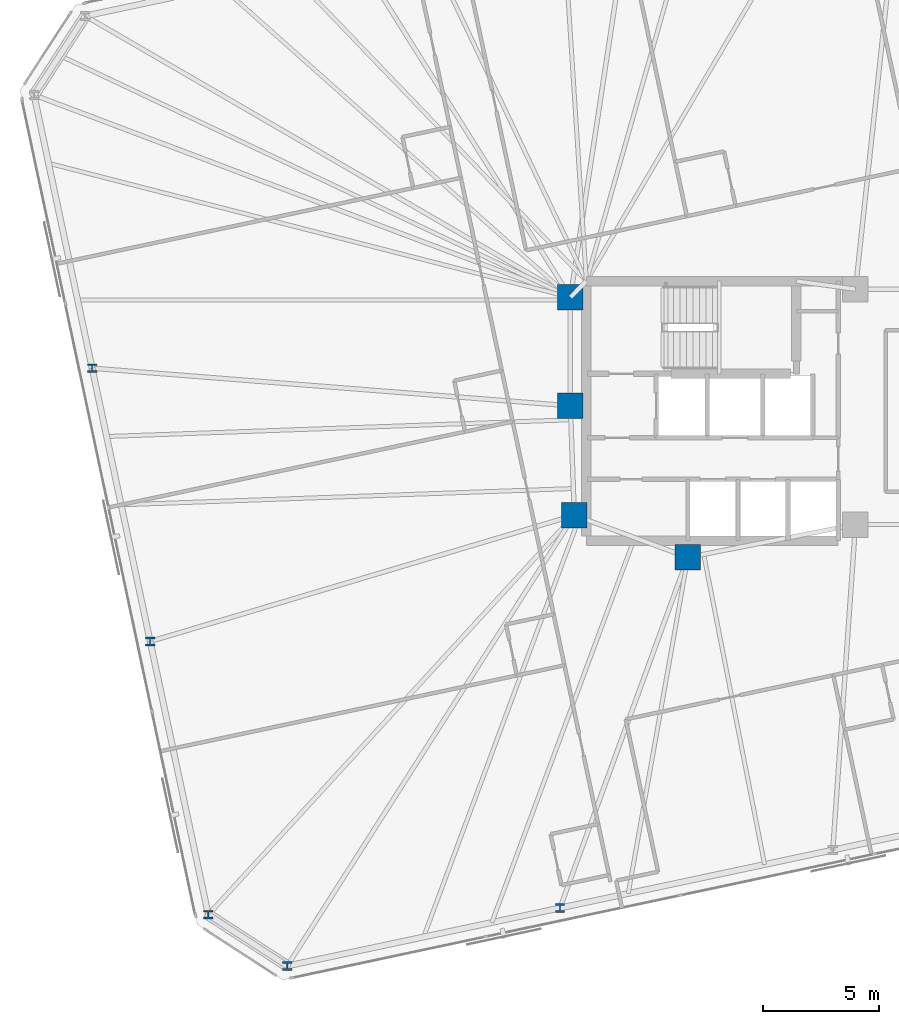
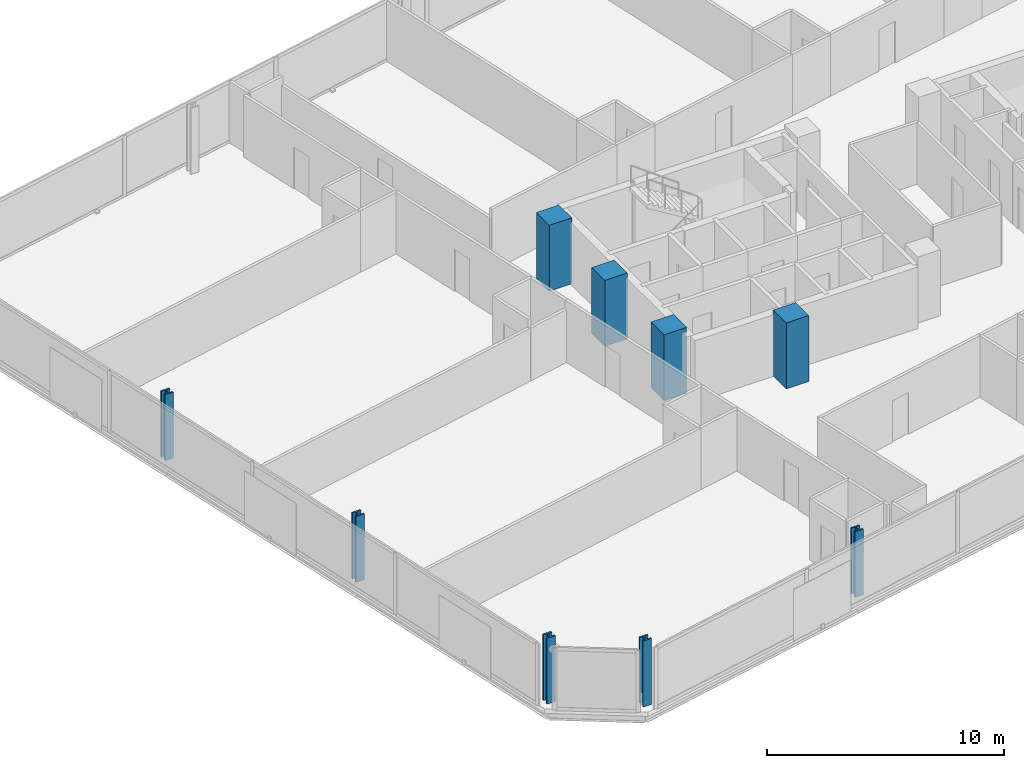
# One storey, part 1 of 19: 9 columns.
"""IFC4 building model written with IfcOpenShell, lengths in metres."""

from ifc_helpers import new_model, si_unit, direction, frame, origin, origin_2d, place, context, subcontext, project, spatial, rectangle, i_section, extrude, material, material_profile, profile_set, type_object, element, save


model = new_model("IFC4")

# Units and contexts
model_context = context("Model", 3, precision=1e-05, world=origin(), true_north=direction((0.0, 1.0)))
body_context = subcontext(model_context, "Body", "Model", "MODEL_VIEW")
ifc_project = project(units=[si_unit("LENGTHUNIT", "METRE"), si_unit("AREAUNIT", "SQUARE_METRE"), si_unit("VOLUMEUNIT", "CUBIC_METRE"), si_unit("PLANEANGLEUNIT", "RADIAN"), si_unit("MASSUNIT", "GRAM", prefix="KILO")], contexts=[model_context])

# Site, building, storey
site_placement = place(None, origin())
site = spatial("IfcSite", under=ifc_project, at=site_placement, CompositionType="ELEMENT")
building_placement = place(site_placement, origin())
building = spatial("IfcBuilding", under=site, at=building_placement, Name="Menara Jurai Vektor", CompositionType="ELEMENT")
storey_placement = place(building_placement, frame((0.0, 0.0, 154.800048828125)))
storey = spatial("IfcBuildingStorey", under=building, at=storey_placement, Name="L39", CompositionType="ELEMENT", Elevation=154.800048828125)

# Columns
ifc_material_1 = material(Name="Concrete C50/60", Category="concrete")
ifc_material_profile_1 = material_profile(ifc_material_1, rectangle(XDim=1.10009765625, YDim=1.10009765625, at=origin_2d()), Name="RC 1100x1100")
ifc_profile_set_1 = profile_set([ifc_material_profile_1], Name="Concrete C50/60")
column_type_1 = type_object("IfcColumnType", Name="STR-COL-RC1100", PredefinedType="COLUMN", material=ifc_profile_set_1)
for number, where, z_axis, x_axis, name in (
    (1, (-15.25, 4.89990234375, 0.0), (0.0, 0.0, 1.0), (1.0, 0.0, 0.0), "Core Spine Column CW-NW L39"),
    (2, (-15.25, 0.219970703125, 0.0), (0.0, 0.0, 1.0), (1.0, 0.0, 0.0), "Core Spine Column CW-WM L39"),
    (3, (-15.080078125, -4.5, 0.0), (0.0, 0.0, 1.0), (1.0, 0.0, 0.0), "Core Spine Column CW-SW L39"),
    (4, (-10.179931640625, -6.320068359375, 0.0), (0.0, 0.0, 1.0), (1.0, 0.0, 0.0), "Core Spine Column CW-SM L39"),
):
    element("IfcColumn", number, at=place(storey_placement, frame(where, z_axis=z_axis, x_axis=x_axis)), inside=storey, type_object=column_type_1, Name=name, PredefinedType="COLUMN", context=body_context, shape_type="SweptSolid", body=[
        extrude(rectangle(XDim=1.10009765625, YDim=1.10009765625, at=origin_2d()), origin(), (0.0, 0.0, 1.0), 3.39990234375),
    ])
ifc_material_2 = material(Name="Steel S460", Category="steel")
ifc_material_profile_2 = material_profile(ifc_material_2, i_section(OverallWidth=0.408935546875, OverallDepth=0.3740234375, WebThickness=0.048095703125, FlangeThickness=0.076904296875, FilletRadius=0.014892578125, at=origin_2d()), Name="HD 400x634")
ifc_profile_set_2 = profile_set([ifc_material_profile_2], Name="Steel S460")
column_type_2 = type_object("IfcColumnType", Name="STR-EXO-BLK3", PredefinedType="COLUMN", material=ifc_profile_set_2)
for number, where, z_axis, x_axis, name in (
    (5, (-27.46484375, -23.94580078125, 0.0), (0.0, 0.0, 1.0), (1.0, 0.0, 0.0), "Exoskeleton Column BLK3-S1 L39"),
    (6, (-15.696533203125, -21.4443359375, 0.0), (0.0, 0.0, 1.0), (1.0, 0.0, 0.0), "Exoskeleton Column BLK3-S2 L39"),
    (7, (-35.8828125, 1.843505859375, 0.0), (0.0, 0.0, 1.0), (1.0, 0.0, 0.0), "Exoskeleton Column BLK3-W2 L39"),
    (8, (-33.377197265625, -9.945068359375, 0.0), (0.0, 0.0, 1.0), (1.0, 0.0, 0.0), "Exoskeleton Column BLK3-W3 L39"),
    (9, (-30.871337890625, -21.7333984375, 0.0), (0.0, 0.0, 1.0), (1.0, 0.0, 0.0), "Exoskeleton Column BLK3-W4 L39"),
):
    element("IfcColumn", number, at=place(storey_placement, frame(where, z_axis=z_axis, x_axis=x_axis)), inside=storey, type_object=column_type_2, Name=name, PredefinedType="COLUMN", context=body_context, shape_type="SweptSolid", body=[
        extrude(i_section(OverallWidth=0.408935546875, OverallDepth=0.3740234375, WebThickness=0.048095703125, FlangeThickness=0.076904296875, FilletRadius=0.014892578125, at=origin_2d()), origin(), (0.0, 0.0, 1.0), 3.39990234375),
    ])

save(model, "model.ifc")
